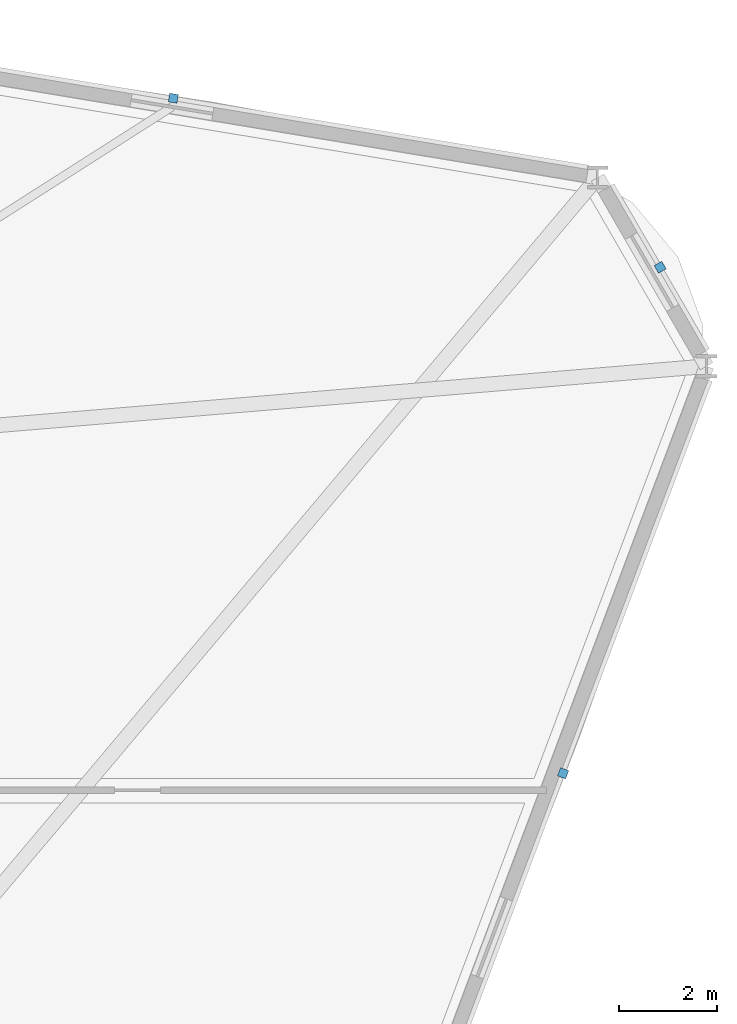
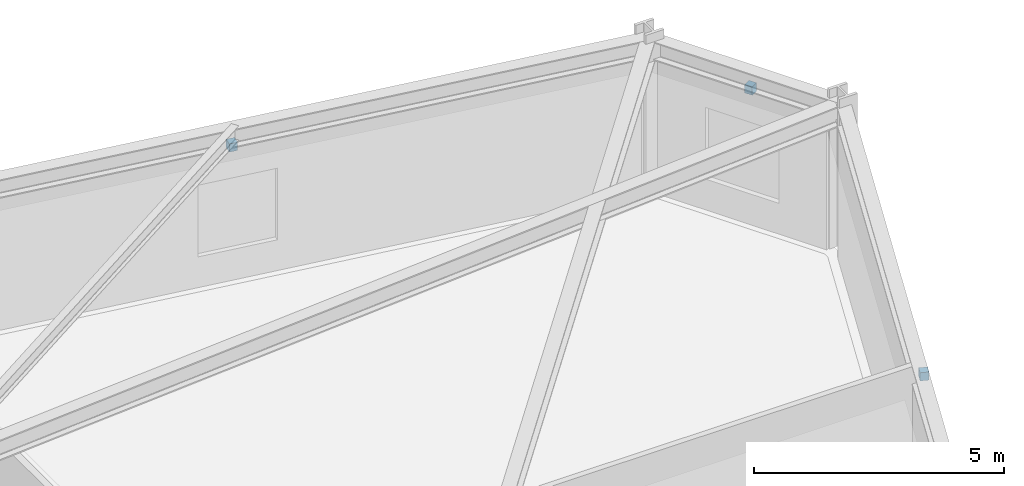
# One storey, part 17 of 20: 3 discrete accessories.
"""IFC4 building model written with IfcOpenShell, lengths in metres."""

from ifc_helpers import new_model, si_unit, derived_unit, direction, frame, origin, origin_2d, place, context, subcontext, project, spatial, rectangle, extrude, source, transform, mapped, material, type_object, element, save


model = new_model("IFC4")

# Units and contexts
model_context = context("Model", 3, precision=1e-05, world=origin(), true_north=direction((0.0, 1.0)))
body_context = subcontext(model_context, "Body", "Model", "MODEL_VIEW")
ifc_project = project(units=[si_unit("LENGTHUNIT", "METRE"), si_unit("AREAUNIT", "SQUARE_METRE"), si_unit("VOLUMEUNIT", "CUBIC_METRE"), si_unit("PLANEANGLEUNIT", "RADIAN"), si_unit("MASSUNIT", "GRAM", prefix="KILO"), derived_unit("THERMALTRANSMITTANCEUNIT", [(si_unit("POWERUNIT", "WATT"), 1), (si_unit("LENGTHUNIT", "METRE"), -2), (si_unit("THERMODYNAMICTEMPERATUREUNIT", "KELVIN"), -1)])], contexts=[model_context])

# Site, building, storey
site_placement = place(None, origin())
site = spatial("IfcSite", under=ifc_project, at=site_placement, CompositionType="ELEMENT")
building_placement = place(site_placement, origin())
building = spatial("IfcBuilding", under=site, at=building_placement, Name="Korsvarv Bourse and Concert Hall", CompositionType="ELEMENT")
storey_placement = place(building_placement, frame((0.0, 0.0, 79.5)))
storey = spatial("IfcBuildingStorey", under=building, at=storey_placement, Name="L19", CompositionType="ELEMENT", Elevation=79.5)

# Discrete accessories
ifc_material = material(Name="Stainless Steel S355 facade outrigger bracket", Category="steel")
discrete_accessory_type = type_object("IfcDiscreteAccessoryType", Name="ACC-BRK-1", PredefinedType="BRACKET", material=ifc_material)
shared_shape = source(origin(), body_context, "Body", "SweptSolid", [
    extrude(rectangle(XDim=0.179931640625, YDim=0.179931640625, at=origin_2d()), origin(), (0.0, 0.0, 1.0), 0.199951171875),
])
for number, where, z_axis, x_axis, name in (
    (1, (66.40966796875, 51.132080078125, 2.97021484375), (0.0, 0.0, 1.0), (-0.5, 0.866025403784, 0.0), "L19 terracotta sunshade bracket EW-L19-B01"),
    (2, (56.427734375, 54.597412109375, 2.97021484375), (0.0, 0.0, 1.0), (-0.986515089987, 0.163670330935, 0.0), "L19 terracotta sunshade bracket EW-L19-B02"),
    (3, (64.419921875, 40.7548828125, 2.97021484375), (0.0, 0.0, 1.0), (0.351514880558, 0.936182294613, 0.0), "L19 terracotta sunshade bracket EW-L19-B12"),
):
    element("IfcDiscreteAccessory", number, at=place(storey_placement, frame(where, z_axis=z_axis, x_axis=x_axis)), inside=storey, type_object=discrete_accessory_type, Name=name, PredefinedType="BRACKET", context=body_context, shape_type="MappedRepresentation", body=[
        mapped(shared_shape, transform((0.0, 0.0, 0.0), scale=1.0)),
    ])

save(model, "model.ifc")
